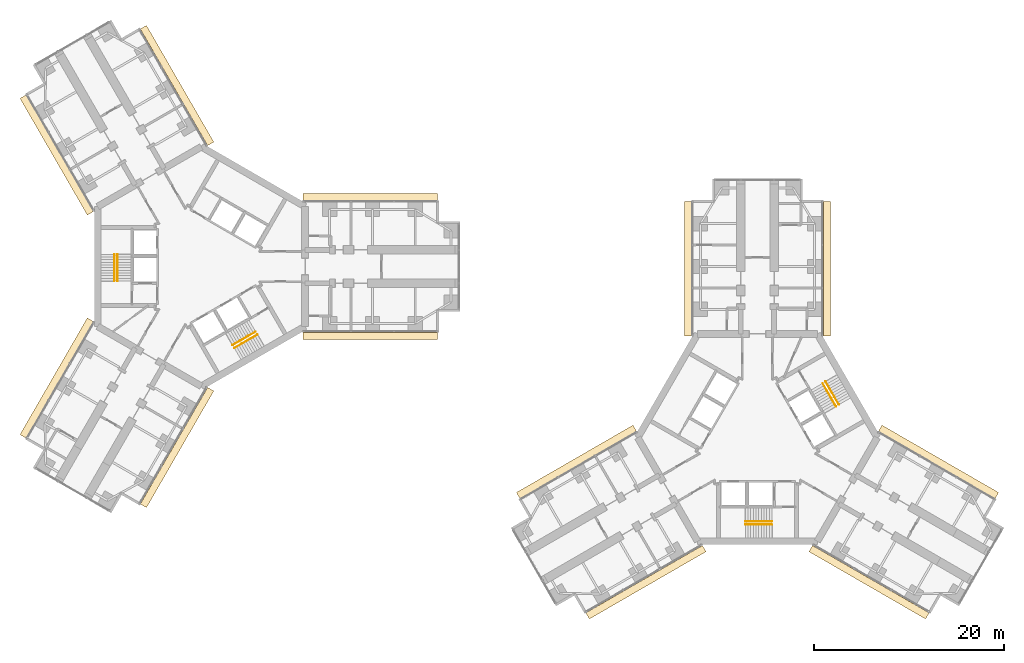
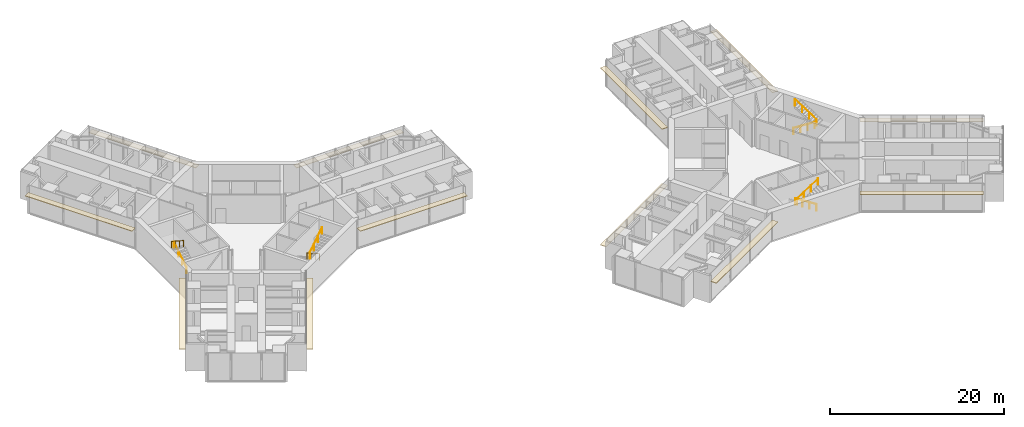
# One storey, part 23 of 23: 12 coverings, 8 railings.
"""IFC4 building model written with IfcOpenShell, lengths in metres."""

from ifc_helpers import new_model, si_unit, direction, frame, origin, origin_2d, place, context, subcontext, project, spatial, rectangle, circle, extrude, material, layer, layer_set, type_object, element, save


model = new_model("IFC4")

# Units and contexts
model_context = context("Model", 3, precision=1e-05, world=origin(), true_north=direction((0.0, 1.0)))
body_context = subcontext(model_context, "Body", "Model", "MODEL_VIEW")
ifc_project = project(units=[si_unit("LENGTHUNIT", "METRE"), si_unit("AREAUNIT", "SQUARE_METRE"), si_unit("VOLUMEUNIT", "CUBIC_METRE"), si_unit("PLANEANGLEUNIT", "RADIAN"), si_unit("MASSUNIT", "GRAM", prefix="KILO")], contexts=[model_context])

# Site, building, storey
site_placement = place(None, origin())
site = spatial("IfcSite", under=ifc_project, at=site_placement, CompositionType="ELEMENT")
building_placement = place(site_placement, origin())
building = spatial("IfcBuilding", under=site, at=building_placement, Name="Upepo Twin Towers", CompositionType="ELEMENT")
storey_placement = place(building_placement, frame((0.0, 0.0, 32.5)))
storey = spatial("IfcBuildingStorey", under=building, at=storey_placement, Name="L07", CompositionType="ELEMENT", Elevation=32.5)

# Coverings
ifc_material_1 = material(Name="Anodised aluminium, pale silver", Category="aluminium")
ifc_layer = layer(ifc_material_1, 0.080078125)
ifc_layer_set = layer_set([ifc_layer], Name="Brise-soleil blade 750 pale aluminium")
covering_type = type_object("IfcCoveringType", Name="Brise-soleil blade 750 pale aluminium", PredefinedType="USERDEFINED", material=ifc_layer_set)
for number, where, z_axis, x_axis, name in (
    (1, (17.7685546875, 7.304931640625, 2.909912109375), (0.0, 0.0, 1.0), (1.0, 0.0, 0.0), "T1 L07 wing A brise-soleil L"),
    (2, (17.7685546875, -7.304931640625, 2.909912109375), (0.0, 0.0, 1.0), (1.0, 0.0, 0.0), "T1 L07 wing A brise-soleil R"),
    (3, (-15.210693359375, 11.735595703125, 2.909912109375), (0.0, 0.0, 1.0), (-0.50000003023, 0.866025386331, 0.0), "T1 L07 wing B brise-soleil L"),
    (4, (-2.557861328125, 19.04052734375, 2.909912109375), (0.0, 0.0, 1.0), (-0.49999996977, 0.866025421238, 0.0), "T1 L07 wing B brise-soleil R"),
    (5, (-2.557861328125, -19.04052734375, 2.909912109375), (0.0, 0.0, 1.0), (-0.49999996977, -0.866025421238, 0.0), "T1 L07 wing C brise-soleil L"),
    (6, (-15.210693359375, -11.735595703125, 2.909912109375), (0.0, 0.0, 1.0), (-0.50000003023, -0.866025386331, 0.0), "T1 L07 wing C brise-soleil R"),
    (7, (51.195068359375, -0.2314453125, 2.909912109375), (0.0, 0.0, 1.0), (0.0, 1.0, 0.0), "T2 L07 wing A brise-soleil L"),
    (8, (65.804931640625, -0.2314453125, 2.909912109375), (0.0, 0.0, 1.0), (0.0, 1.0, 0.0), "T2 L07 wing A brise-soleil R"),
    (9, (46.764404296875, -33.210693359375, 2.909912109375), (0.0, 0.0, 1.0), (-0.866025386331, -0.50000003023, 0.0), "T2 L07 wing B brise-soleil L"),
    (10, (39.45947265625, -20.557861328125, 2.909912109375), (0.0, 0.0, 1.0), (-0.866025421238, -0.49999996977, 0.0), "T2 L07 wing B brise-soleil R"),
    (11, (77.54052734375, -20.557861328125, 2.909912109375), (0.0, 0.0, 1.0), (0.866025421238, -0.49999996977, 0.0), "T2 L07 wing C brise-soleil L"),
    (12, (70.235595703125, -33.210693359375, 2.909912109375), (0.0, 0.0, 1.0), (0.866025386331, -0.50000003023, 0.0), "T2 L07 wing C brise-soleil R"),
):
    element("IfcCovering", number, at=place(storey_placement, frame(where, z_axis=z_axis, x_axis=x_axis)), inside=storey, type_object=covering_type, Name=name, ObjectType="SUNSHADE", PredefinedType="USERDEFINED", context=body_context, shape_type="SweptSolid", body=[
        extrude(rectangle(XDim=14.162841796875, YDim=0.75, at=origin_2d()), origin(), (0.0, 0.0, 1.0), 0.080078125),
    ])

# Railings
ifc_material_2 = material(Name="Stainless steel", Category="steel")
railing_type = type_object("IfcRailingType", Name="Stair handrail 900", PredefinedType="HANDRAIL", material=ifc_material_2)
railing_1_placement = place(storey_placement, frame((-8.800048828125, -1.52001953125, 0.181884765625)))
element("IfcRailing", 13, at=railing_1_placement, inside=storey, type_object=railing_type, Name="T1 stair S1 L07 handrail 1", PredefinedType="HANDRAIL", context=body_context, shape_type="SweptSolid", body=[
    extrude(circle(Radius=0.02392578125, at=origin_2d()), frame((0.0, 0.0, 0.8759765625), z_axis=(0.0, 0.838705829183, 0.544584733623), x_axis=(-1.0, 0.0, 0.0)), (0.0, 0.0, 1.0), 3.338623046875),
    extrude(circle(Radius=0.02099609375, at=origin_2d()), origin(), (0.0, 0.0, 1.0), 0.851806640625),
    extrude(circle(Radius=0.02099609375, at=origin_2d()), frame((0.0, 0.933349609375, 0.60595703125)), (0.0, 0.0, 1.0), 0.851806640625),
    extrude(circle(Radius=0.02099609375, at=origin_2d()), frame((0.0, 1.86669921875, 1.212158203125)), (0.0, 0.0, 1.0), 0.851806640625),
    extrude(circle(Radius=0.02099609375, at=origin_2d()), frame((0.0, 2.800048828125, 1.818115234375)), (0.0, 0.0, 1.0), 0.851806640625),
])
railing_2_placement = place(storey_placement, frame((-9.158447265625, 1.280029296875, 2.181884765625)))
element("IfcRailing", 14, at=railing_2_placement, inside=storey, type_object=railing_type, Name="T1 stair S1 L07 handrail 2", PredefinedType="HANDRAIL", context=body_context, shape_type="SweptSolid", body=[
    extrude(circle(Radius=0.02392578125, at=origin_2d()), frame((0.0, 0.0, 0.8759765625), z_axis=(0.0, -0.838705829183, 0.544584733623), x_axis=(1.0, 0.0, 0.0)), (0.0, 0.0, 1.0), 3.338623046875),
    extrude(circle(Radius=0.02099609375, at=origin_2d()), origin(), (0.0, 0.0, 1.0), 0.851806640625),
    extrude(circle(Radius=0.02099609375, at=origin_2d()), frame((0.0, -0.933349609375, 0.60595703125)), (0.0, 0.0, 1.0), 0.851806640625),
    extrude(circle(Radius=0.02099609375, at=origin_2d()), frame((0.0, -1.86669921875, 1.212158203125)), (0.0, 0.0, 1.0), 0.851806640625),
    extrude(circle(Radius=0.02099609375, at=origin_2d()), frame((0.0, -2.800048828125, 1.818115234375)), (0.0, 0.0, 1.0), 0.851806640625),
])
railing_3_placement = place(storey_placement, frame((5.71630859375, -6.861083984375, 0.181884765625)))
element("IfcRailing", 15, at=railing_3_placement, inside=storey, type_object=railing_type, Name="T1 stair S2 L07 handrail 1", PredefinedType="HANDRAIL", context=body_context, shape_type="SweptSolid", body=[
    extrude(circle(Radius=0.02392578125, at=origin_2d()), frame((0.0, 0.0, 0.8759765625), z_axis=(-0.726336304947, -0.419332699614, 0.544605966869), x_axis=(0.49998411664, -0.866034573852, 0.0)), (0.0, 0.0, 1.0), 3.33837890625),
    extrude(circle(Radius=0.02099609375, at=origin_2d()), origin(), (0.0, 0.0, 1.0), 0.851806640625),
    extrude(circle(Radius=0.02099609375, at=origin_2d()), frame((-0.808349609375, -0.466552734375, 0.60595703125)), (0.0, 0.0, 1.0), 0.851806640625),
    extrude(circle(Radius=0.02099609375, at=origin_2d()), frame((-1.616455078125, -0.933349609375, 1.212158203125)), (0.0, 0.0, 1.0), 0.851806640625),
    extrude(circle(Radius=0.02099609375, at=origin_2d()), frame((-2.4248046875, -1.39990234375, 1.818115234375)), (0.0, 0.0, 1.0), 0.851806640625),
])
railing_4_placement = place(storey_placement, frame((3.470703125, -8.5712890625, 2.181884765625)))
element("IfcRailing", 16, at=railing_4_placement, inside=storey, type_object=railing_type, Name="T1 stair S2 L07 handrail 2", PredefinedType="HANDRAIL", context=body_context, shape_type="SweptSolid", body=[
    extrude(circle(Radius=0.02392578125, at=origin_2d()), frame((0.0, 0.0, 0.8759765625), z_axis=(0.726336304947, 0.419332699614, 0.544605966869), x_axis=(-0.49998411664, 0.866034573852, 0.0)), (0.0, 0.0, 1.0), 3.33837890625),
    extrude(circle(Radius=0.02099609375, at=origin_2d()), origin(), (0.0, 0.0, 1.0), 0.851806640625),
    extrude(circle(Radius=0.02099609375, at=origin_2d()), frame((0.808349609375, 0.466552734375, 0.60595703125)), (0.0, 0.0, 1.0), 0.851806640625),
    extrude(circle(Radius=0.02099609375, at=origin_2d()), frame((1.616455078125, 0.933349609375, 1.212158203125)), (0.0, 0.0, 1.0), 0.851806640625),
    extrude(circle(Radius=0.02099609375, at=origin_2d()), frame((2.4248046875, 1.39990234375, 1.818115234375)), (0.0, 0.0, 1.0), 0.851806640625),
])
railing_5_placement = place(storey_placement, frame((60.02001953125, -26.800048828125, 0.181884765625)))
element("IfcRailing", 17, at=railing_5_placement, inside=storey, type_object=railing_type, Name="T2 stair S1 L07 handrail 1", PredefinedType="HANDRAIL", context=body_context, shape_type="SweptSolid", body=[
    extrude(circle(Radius=0.02392578125, at=origin_2d()), frame((0.0, 0.0, 0.8759765625), z_axis=(-0.838705829183, 0.0, 0.544584733623), x_axis=(0.0, -1.0, 0.0)), (0.0, 0.0, 1.0), 3.338623046875),
    extrude(circle(Radius=0.02099609375, at=origin_2d()), origin(), (0.0, 0.0, 1.0), 0.851806640625),
    extrude(circle(Radius=0.02099609375, at=origin_2d()), frame((-0.933349609375, 0.0, 0.60595703125)), (0.0, 0.0, 1.0), 0.851806640625),
    extrude(circle(Radius=0.02099609375, at=origin_2d()), frame((-1.86669921875, 0.0, 1.212158203125)), (0.0, 0.0, 1.0), 0.851806640625),
    extrude(circle(Radius=0.02099609375, at=origin_2d()), frame((-2.800048828125, 0.0, 1.818115234375)), (0.0, 0.0, 1.0), 0.851806640625),
])
railing_6_placement = place(storey_placement, frame((57.219970703125, -27.158447265625, 2.181884765625)))
element("IfcRailing", 18, at=railing_6_placement, inside=storey, type_object=railing_type, Name="T2 stair S1 L07 handrail 2", PredefinedType="HANDRAIL", context=body_context, shape_type="SweptSolid", body=[
    extrude(circle(Radius=0.02392578125, at=origin_2d()), frame((0.0, 0.0, 0.8759765625), z_axis=(0.838705829183, 0.0, 0.544584733623), x_axis=(0.0, 1.0, 0.0)), (0.0, 0.0, 1.0), 3.338623046875),
    extrude(circle(Radius=0.02099609375, at=origin_2d()), origin(), (0.0, 0.0, 1.0), 0.851806640625),
    extrude(circle(Radius=0.02099609375, at=origin_2d()), frame((0.933349609375, 0.0, 0.60595703125)), (0.0, 0.0, 1.0), 0.851806640625),
    extrude(circle(Radius=0.02099609375, at=origin_2d()), frame((1.86669921875, 0.0, 1.212158203125)), (0.0, 0.0, 1.0), 0.851806640625),
    extrude(circle(Radius=0.02099609375, at=origin_2d()), frame((2.800048828125, 0.0, 1.818115234375)), (0.0, 0.0, 1.0), 0.851806640625),
])
railing_7_placement = place(storey_placement, frame((65.361083984375, -12.28369140625, 0.181884765625)))
element("IfcRailing", 19, at=railing_7_placement, inside=storey, type_object=railing_type, Name="T2 stair S2 L07 handrail 1", PredefinedType="HANDRAIL", context=body_context, shape_type="SweptSolid", body=[
    extrude(circle(Radius=0.02392578125, at=origin_2d()), frame((0.0, 0.0, 0.8759765625), z_axis=(0.419332699614, -0.726336304947, 0.544605966869), x_axis=(0.866034573852, 0.49998411664, 0.0)), (0.0, 0.0, 1.0), 3.33837890625),
    extrude(circle(Radius=0.02099609375, at=origin_2d()), origin(), (0.0, 0.0, 1.0), 0.851806640625),
    extrude(circle(Radius=0.02099609375, at=origin_2d()), frame((0.466552734375, -0.808349609375, 0.60595703125)), (0.0, 0.0, 1.0), 0.851806640625),
    extrude(circle(Radius=0.02099609375, at=origin_2d()), frame((0.933349609375, -1.616455078125, 1.212158203125)), (0.0, 0.0, 1.0), 0.851806640625),
    extrude(circle(Radius=0.02099609375, at=origin_2d()), frame((1.39990234375, -2.4248046875, 1.818115234375)), (0.0, 0.0, 1.0), 0.851806640625),
])
railing_8_placement = place(storey_placement, frame((67.0712890625, -14.529296875, 2.181884765625)))
element("IfcRailing", 20, at=railing_8_placement, inside=storey, type_object=railing_type, Name="T2 stair S2 L07 handrail 2", PredefinedType="HANDRAIL", context=body_context, shape_type="SweptSolid", body=[
    extrude(circle(Radius=0.02392578125, at=origin_2d()), frame((0.0, 0.0, 0.8759765625), z_axis=(-0.419332699614, 0.726336304947, 0.544605966869), x_axis=(-0.866034573852, -0.49998411664, 0.0)), (0.0, 0.0, 1.0), 3.33837890625),
    extrude(circle(Radius=0.02099609375, at=origin_2d()), origin(), (0.0, 0.0, 1.0), 0.851806640625),
    extrude(circle(Radius=0.02099609375, at=origin_2d()), frame((-0.466552734375, 0.808349609375, 0.60595703125)), (0.0, 0.0, 1.0), 0.851806640625),
    extrude(circle(Radius=0.02099609375, at=origin_2d()), frame((-0.933349609375, 1.616455078125, 1.212158203125)), (0.0, 0.0, 1.0), 0.851806640625),
    extrude(circle(Radius=0.02099609375, at=origin_2d()), frame((-1.39990234375, 2.4248046875, 1.818115234375)), (0.0, 0.0, 1.0), 0.851806640625),
])

save(model, "model.ifc")
